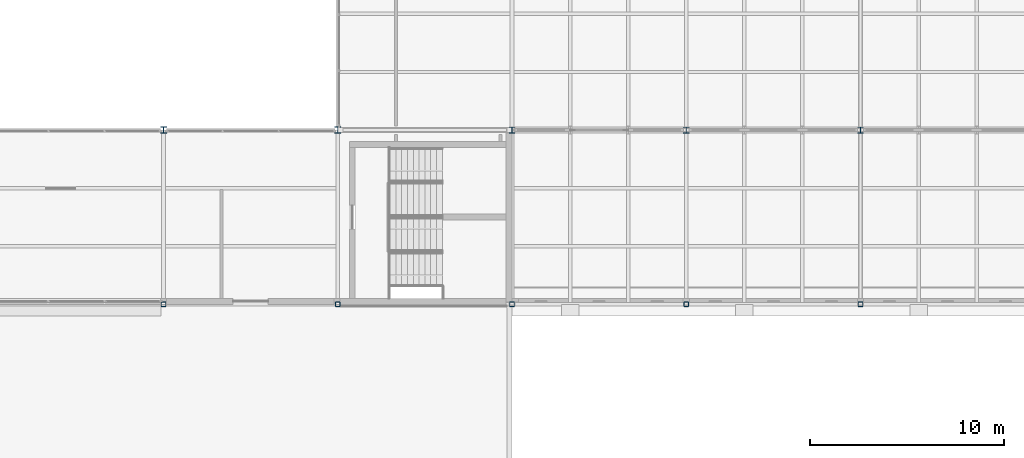
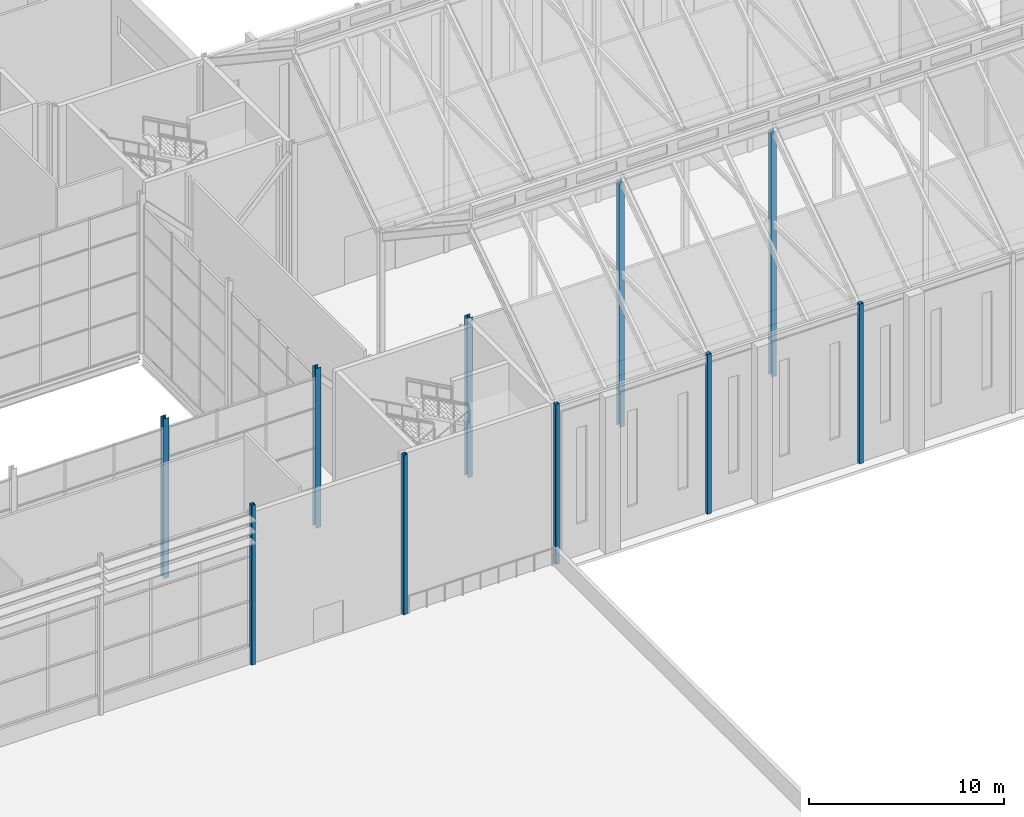
# One storey, part 2 of 111: 10 columns.
"""IFC4 building model written with IfcOpenShell, lengths in metres."""

import ifcopenshell
import ifcopenshell.guid

model = None  # the IFC model being written
_history = None  # IfcOwnerHistory: only IFC2X3 demands one
_inside = {}  # id of a spatial element -> (the spatial element, [elements in it])
_under = {}  # id of a project, library or spatial element -> (it, [spatial elements below it])
_declared = {}  # id of a project -> (the project, [libraries it declares])
_typed = {}  # id of a type object -> (the type object, [elements of that type])
_made_of = {}  # id of a material, layer set ... -> (it, [elements and type objects made of it])


def new_model(schema):
    """Start an empty IFC model of exactly this schema.

    Asked for "IFC4X3", IfcOpenShell would pick the latest addendum, in which some entities
    have other attributes; the version numbers below select the first issue.
    IFC2X3 requires an IfcOwnerHistory on every rooted entity: one is made here for all.
    """
    global model, _history
    if schema == "IFC4X3":
        model = ifcopenshell.file(schema_version=(4, 3, 0, 0))
    else:
        model = ifcopenshell.file(schema=schema)
    _inside.clear()
    _under.clear()
    _declared.clear()
    _typed.clear()
    _made_of.clear()
    _history = None
    if model.schema == "IFC2X3":
        org = make("IfcOrganization", Name="unknown")
        user = make(
            "IfcPersonAndOrganization",
            ThePerson=make("IfcPerson", FamilyName="unknown"),
            TheOrganization=org,
        )
        app = make(
            "IfcApplication",
            ApplicationDeveloper=org,
            Version="unknown",
            ApplicationFullName="unknown",
            ApplicationIdentifier="unknown",
        )
        _history = make(
            "IfcOwnerHistory",
            OwningUser=user,
            OwningApplication=app,
            ChangeAction="ADDED",
            CreationDate=0,
        )
    return model


def make(cls, **values):
    """One entity of the class cls with the attributes given. An attribute that is None is left unset."""
    return model.create_entity(
        cls, **{name: value for name, value in values.items() if value is not None}
    )


def rooted(cls, **values):
    """An entity with a GlobalId (a new one), such as an element, a storey or a relation."""
    return make(cls, GlobalId=ifcopenshell.guid.new(), OwnerHistory=_history, **values)


def si_unit(unit_type, name, prefix=None):
    """IfcSIUnit, for example si_unit("LENGTHUNIT", "METRE", prefix="MILLI")."""
    return make("IfcSIUnit", UnitType=unit_type, Prefix=prefix, Name=name)


def assignment(units):
    """IfcUnitAssignment: the units of a project."""
    return None if units is None else make("IfcUnitAssignment", Units=units)


def point(xyz):
    """IfcCartesianPoint."""
    return None if xyz is None else make("IfcCartesianPoint", Coordinates=xyz)


def direction(xyz):
    """IfcDirection."""
    return None if xyz is None else make("IfcDirection", DirectionRatios=xyz)


def frame(location, z_axis=None, x_axis=None):
    """IfcAxis2Placement3D, a coordinate frame: its origin and axes. An axis left out is left unset."""
    return make(
        "IfcAxis2Placement3D",
        Location=point(location),
        Axis=direction(z_axis),
        RefDirection=direction(x_axis),
    )


def frame_2d(location, x_axis=None):
    """IfcAxis2Placement2D, a coordinate frame in the plane: its origin and x axis."""
    return make(
        "IfcAxis2Placement2D", Location=point(location), RefDirection=direction(x_axis)
    )


def origin():
    """The frame at (0, 0, 0) with its axes left unset."""
    return frame((0.0, 0.0, 0.0))


def origin_2d():
    """The frame at (0, 0) in the plane with its x axis left unset."""
    return frame_2d((0.0, 0.0))


def place(relative_to, where):
    """IfcLocalPlacement: puts the frame where relative to a parent placement (None: the world)."""
    return make(
        "IfcLocalPlacement", PlacementRelTo=relative_to, RelativePlacement=where
    )


def context(
    kind, dimensions, precision=None, world=None, true_north=None, identifier=None
):
    """IfcGeometricRepresentationContext, for example the 3D "Model" context."""
    return make(
        "IfcGeometricRepresentationContext",
        ContextIdentifier=identifier,
        ContextType=kind,
        CoordinateSpaceDimension=dimensions,
        Precision=precision,
        WorldCoordinateSystem=world,
        TrueNorth=true_north,
    )


def subcontext(parent, identifier, kind, view, scale=None):
    """IfcGeometricRepresentationSubContext, for example "Body" below "Model"."""
    return make(
        "IfcGeometricRepresentationSubContext",
        ContextIdentifier=identifier,
        ContextType=kind,
        ParentContext=parent,
        TargetScale=scale,
        TargetView=view,
    )


def project(units=None, contexts=None):
    """IfcProject with its units and contexts."""
    return rooted(
        "IfcProject",
        Name="project",
        RepresentationContexts=contexts,
        UnitsInContext=assignment(units),
    )


def spatial(cls, under=None, at=None, **own):
    """A site, building, storey or space (cls), placed at a placement, below another one or the project."""
    s = rooted(cls, ObjectPlacement=at, **own)
    if under is not None:
        _under.setdefault(under.id(), (under, []))[1].append(s)
    return s


def profile(cls, at=None, kind="AREA", **sizes):
    """A parametric profile (cls). Its sizes go by their IFC names, for example OverallWidth=200.0."""
    return make(cls, ProfileType=kind, Position=at, **sizes)


def hollow_rectangle(**sizes):
    """IfcRectangleHollowProfileDef."""
    return profile("IfcRectangleHollowProfileDef", **sizes)


def i_section(**sizes):
    """IfcIShapeProfileDef."""
    return profile("IfcIShapeProfileDef", **sizes)


def extrude(swept, where, along, depth):
    """IfcExtrudedAreaSolid: the profile swept, set in the frame where, extruded along a direction by depth."""
    return make(
        "IfcExtrudedAreaSolid",
        SweptArea=swept,
        Position=where,
        ExtrudedDirection=direction(along),
        Depth=depth,
    )


def shape(context_of_items, identifier, shape_type, items):
    """IfcShapeRepresentation: the items that make up one representation, for example the "Body"."""
    return make(
        "IfcShapeRepresentation",
        ContextOfItems=context_of_items,
        RepresentationIdentifier=identifier,
        RepresentationType=shape_type,
        Items=items,
    )


def material(Name=None, Category=None):
    """IfcMaterial."""
    return make("IfcMaterial", Name=Name, Category=Category)


def material_profile(
    of_material, cross_section, Name=None, Category=None, Priority=None
):
    """IfcMaterialProfile: a cross section and its material."""
    return make(
        "IfcMaterialProfile",
        Name=Name,
        Material=of_material,
        Profile=cross_section,
        Priority=Priority,
        Category=Category,
    )


def profile_set(profiles, Name=None, composite=None):
    """IfcMaterialProfileSet."""
    return make(
        "IfcMaterialProfileSet",
        Name=Name,
        MaterialProfiles=profiles,
        CompositeProfile=composite,
    )


def made_of(thing, what):
    """Note that an element or type object is made of a material, layer set ...; save() writes the relation."""
    if what is not None:
        _made_of.setdefault(what.id(), (what, []))[1].append(thing)
    return thing


def type_object(cls, material=None, **own):
    """A type object (cls), such as IfcWallType, which elements share."""
    return made_of(rooted(cls, **own), material)


def element(
    cls,
    number,
    at=None,
    inside=None,
    cuts=None,
    type_object=None,
    material=None,
    context=None,
    identifier="Body",
    shape_type=None,
    held_by="IfcProductDefinitionShape",
    body=None,
    shapes=None,
    **own,
):
    """One element of the class cls, such as IfcWall. Its Tag is "e" and its number.

    at: its placement. inside: the storey or other place that contains it. cuts: it is an
    opening in that element (IfcRelVoidsElement). A single representation is given by context,
    identifier, shape_type and body (its items); several are given by shapes. held_by: the class
    of the entity that holds the representations. save() writes the other relations.
    """
    e = rooted(cls, Tag="e%d" % number, ObjectPlacement=at, **own)
    if body is not None:
        shapes = [shape(context, identifier, shape_type, body)]
    if shapes is not None:
        e.Representation = make(held_by, Representations=shapes)
    if inside is not None:
        _inside.setdefault(inside.id(), (inside, []))[1].append(e)
    if cuts is not None:
        rooted(
            "IfcRelVoidsElement", RelatingBuildingElement=cuts, RelatedOpeningElement=e
        )
    if type_object is not None:
        _typed.setdefault(type_object.id(), (type_object, []))[1].append(e)
    return made_of(e, material)


def aggregate(whole, parts):
    """IfcRelAggregates: a whole, such as a stair, and the parts it consists of."""
    return rooted("IfcRelAggregates", RelatingObject=whole, RelatedObjects=parts)


def save(model, path):
    """Write the relations noted so far, then the file.

    IfcRelAggregates (storeys below a building ...), IfcRelContainedInSpatialStructure (elements
    in a storey), IfcRelDefinesByType, IfcRelAssociatesMaterial and IfcRelDeclares: one each for
    every whole, place, type object, material and project.
    """
    for whole, parts in _under.values():
        aggregate(whole, parts)
    for where, things in _inside.values():
        rooted(
            "IfcRelContainedInSpatialStructure",
            RelatedElements=things,
            RelatingStructure=where,
        )
    for kind, things in _typed.values():
        rooted("IfcRelDefinesByType", RelatedObjects=things, RelatingType=kind)
    for what, things in _made_of.values():
        rooted("IfcRelAssociatesMaterial", RelatedObjects=things, RelatingMaterial=what)
    for by, libraries in _declared.values():
        rooted("IfcRelDeclares", RelatingContext=by, RelatedDefinitions=libraries)
    model.write(path)


model = new_model("IFC4")

# Units and contexts
model_context = context("Model", 3, precision=1e-05, world=origin(), true_north=direction((0.0, 1.0)))
body_context = subcontext(model_context, "Body", "Model", "MODEL_VIEW")
ifc_project = project(units=[si_unit("LENGTHUNIT", "METRE"), si_unit("AREAUNIT", "SQUARE_METRE"), si_unit("VOLUMEUNIT", "CUBIC_METRE"), si_unit("PLANEANGLEUNIT", "RADIAN"), si_unit("MASSUNIT", "GRAM", prefix="KILO")], contexts=[model_context])

# Site, building, storey
site_placement = place(None, origin())
site = spatial("IfcSite", under=ifc_project, at=site_placement, CompositionType="ELEMENT")
building_placement = place(site_placement, origin())
building = spatial("IfcBuilding", under=site, at=building_placement, Name="Shorebreak Coast Museum", CompositionType="ELEMENT")
storey_placement = place(building_placement, frame((0.0, 0.0, 16.0)))
storey = spatial("IfcBuildingStorey", under=building, at=storey_placement, Name="L03", CompositionType="ELEMENT", Elevation=16.0)

# Columns
ifc_material_1 = material(Name="Steel Grade C450L0", Category="steel")
ifc_material_profile_1 = material_profile(ifc_material_1, hollow_rectangle(XDim=0.25, YDim=0.25, WallThickness=0.012451171875, InnerFilletRadius=0.018798828125, OuterFilletRadius=0.03125, at=origin_2d()), Name="250x250x12.5 SHS")
ifc_profile_set_1 = profile_set([ifc_material_profile_1], Name="Steel Grade C450L0")
column_type_1 = type_object("IfcColumnType", Name="Column 250x250x12.5 SHS", PredefinedType="COLUMN", material=ifc_profile_set_1)
for number, where, z_axis, x_axis, name in (
    (1, (99.0, 54.0, 0.0), (0.0, 0.0, 1.0), (1.0, 0.0, 0.0), "Column L03 12G"),
    (2, (108.0, 54.0, 0.0), (0.0, 0.0, 1.0), (1.0, 0.0, 0.0), "Column L03 13G"),
    (3, (117.0, 54.0, 0.0), (0.0, 0.0, 1.0), (1.0, 0.0, 0.0), "Column L03 14G"),
    (4, (126.0, 54.0, 0.0), (0.0, 0.0, 1.0), (1.0, 0.0, 0.0), "Column L03 15G"),
    (5, (135.0, 54.0, 0.0), (0.0, 0.0, 1.0), (1.0, 0.0, 0.0), "Column L03 16G"),
):
    element("IfcColumn", number, at=place(storey_placement, frame(where, z_axis=z_axis, x_axis=x_axis)), inside=storey, type_object=column_type_1, Name=name, PredefinedType="COLUMN", context=body_context, shape_type="SweptSolid", body=[
        extrude(hollow_rectangle(XDim=0.25, YDim=0.25, WallThickness=0.012451171875, InnerFilletRadius=0.018798828125, OuterFilletRadius=0.03125, at=origin_2d()), origin(), (0.0, 0.0, 1.0), 10.0),
    ])
ifc_material_2 = material(Name="Steel Grade 300", Category="steel")
ifc_material_profile_2 = material_profile(ifc_material_2, i_section(OverallWidth=0.30908203125, OverallDepth=0.320556640625, WebThickness=0.013916015625, FlangeThickness=0.021728515625, FilletRadius=0.0166015625, at=origin_2d()), Name="310UC137")
ifc_profile_set_2 = profile_set([ifc_material_profile_2], Name="Steel Grade 300")
column_type_2 = type_object("IfcColumnType", Name="Column 310UC137", PredefinedType="COLUMN", material=ifc_profile_set_2)
for number, where, z_axis, x_axis, name in (
    (6, (99.0, 63.0, 0.0), (0.0, 0.0, 1.0), (1.0, 0.0, 0.0), "Column L03 12H"),
    (7, (108.0, 63.0, 0.0), (0.0, 0.0, 1.0), (1.0, 0.0, 0.0), "Column L03 13H"),
):
    element("IfcColumn", number, at=place(storey_placement, frame(where, z_axis=z_axis, x_axis=x_axis)), inside=storey, type_object=column_type_2, Name=name, PredefinedType="COLUMN", context=body_context, shape_type="SweptSolid", body=[
        extrude(i_section(OverallWidth=0.30908203125, OverallDepth=0.320556640625, WebThickness=0.013916015625, FlangeThickness=0.021728515625, FilletRadius=0.0166015625, at=origin_2d()), origin(), (0.0, 0.0, 1.0), 10.0),
    ])
ifc_material_3 = material(Name="Steel Grade 300", Category="steel")
ifc_material_profile_3 = material_profile(ifc_material_3, i_section(OverallWidth=0.304931640625, OverallDepth=0.30810546875, WebThickness=0.010009765625, FlangeThickness=0.015380859375, FilletRadius=0.0166015625, at=origin_2d()), Name="310UC96.8")
ifc_profile_set_3 = profile_set([ifc_material_profile_3], Name="Steel Grade 300")
column_type_3 = type_object("IfcColumnType", Name="Column 310UC96.8", PredefinedType="COLUMN", material=ifc_profile_set_3)
column_placement = place(storey_placement, frame((117.0, 63.0, 0.0), z_axis=(0.0, 0.0, 1.0), x_axis=(1.0, 0.0, 0.0)))
element("IfcColumn", 8, at=column_placement, inside=storey, type_object=column_type_3, Name="Column L03 14H", PredefinedType="COLUMN", context=body_context, shape_type="SweptSolid", body=[
    extrude(i_section(OverallWidth=0.304931640625, OverallDepth=0.30810546875, WebThickness=0.010009765625, FlangeThickness=0.015380859375, FilletRadius=0.0166015625, at=origin_2d()), origin(), (0.0, 0.0, 1.0), 10.0),
])
for number, where, z_axis, x_axis, name in (
    (9, (126.0, 63.0, 0.0), (0.0, 0.0, 1.0), (1.0, 0.0, 0.0), "Column L03 15H"),
    (10, (135.0, 63.0, 0.0), (0.0, 0.0, 1.0), (1.0, 0.0, 0.0), "Column L03 16H"),
):
    element("IfcColumn", number, at=place(storey_placement, frame(where, z_axis=z_axis, x_axis=x_axis)), inside=storey, type_object=column_type_3, Name=name, PredefinedType="COLUMN", context=body_context, shape_type="SweptSolid", body=[
        extrude(i_section(OverallWidth=0.304931640625, OverallDepth=0.30810546875, WebThickness=0.010009765625, FlangeThickness=0.015380859375, FilletRadius=0.0166015625, at=origin_2d()), origin(), (0.0, 0.0, 1.0), 15.353271484375),
    ])

save(model, "model.ifc")
